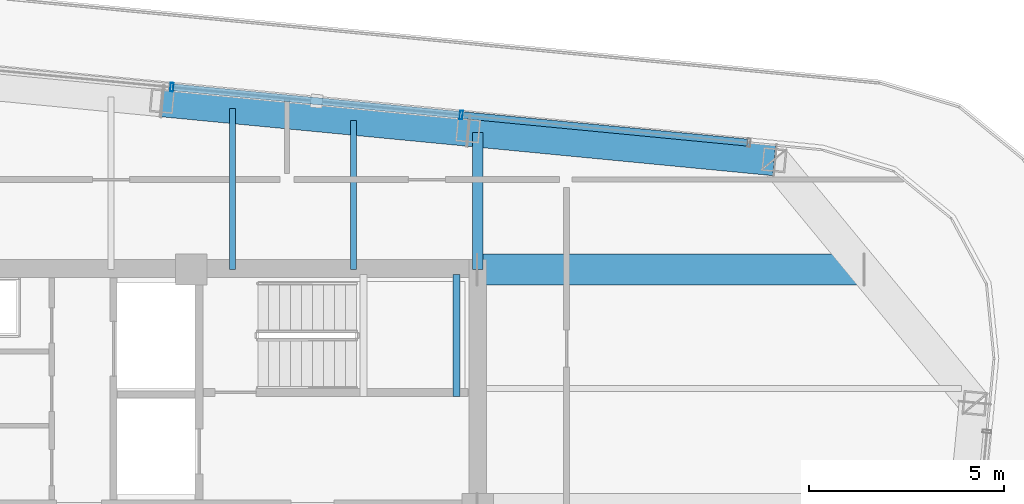
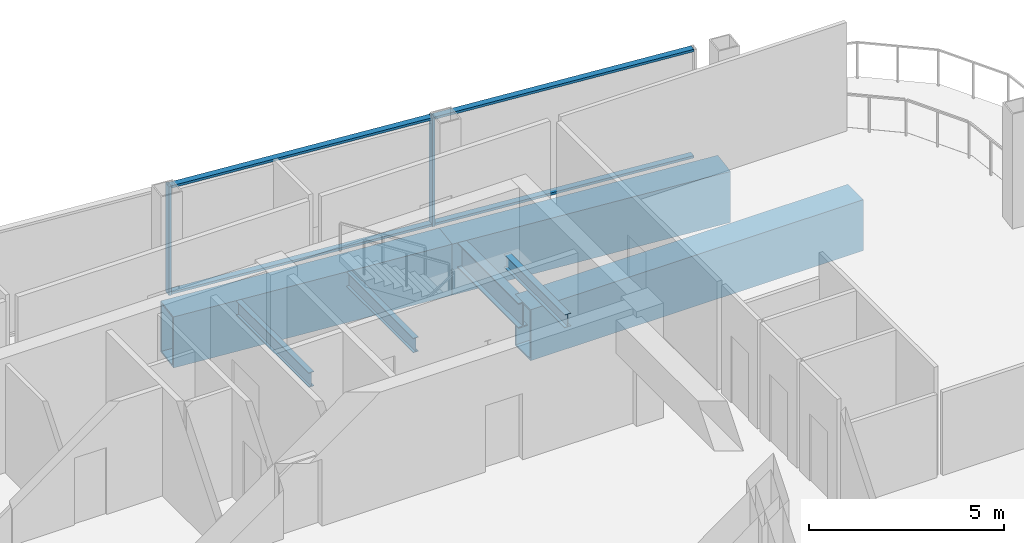
# One storey, part 10 of 20: 7 beams, 6 members, 1 element without a shape of its own.
"""IFC4 building model written with IfcOpenShell, lengths in metres."""

from ifc_helpers import new_model, si_unit, direction, frame, origin, origin_2d, place, context, subcontext, project, spatial, hollow_rectangle, i_section, extrude, material, layer, layer_set, material_profile, profile_set, type_object, element, aggregate, save


model = new_model("IFC4")

# Units and contexts
model_context = context("Model", 3, precision=1e-05, world=origin(), true_north=direction((0.0, 1.0)))
body_context = subcontext(model_context, "Body", "Model", "MODEL_VIEW")
ifc_project = project(units=[si_unit("LENGTHUNIT", "METRE"), si_unit("AREAUNIT", "SQUARE_METRE"), si_unit("VOLUMEUNIT", "CUBIC_METRE"), si_unit("PLANEANGLEUNIT", "RADIAN"), si_unit("MASSUNIT", "GRAM", prefix="KILO")], contexts=[model_context])

# Site, building, storey
site_placement = place(None, origin())
site = spatial("IfcSite", under=ifc_project, at=site_placement, CompositionType="ELEMENT")
building_placement = place(site_placement, origin())
building = spatial("IfcBuilding", under=site, at=building_placement, Name="Qhalaya Broadcast Tower", CompositionType="ELEMENT")
storey_placement = place(building_placement, frame((0.0, 0.0, 273.35009765625)))
storey = spatial("IfcBuildingStorey", under=building, at=storey_placement, Name="L81", CompositionType="ELEMENT", Elevation=273.35009765625)

# Beams
ifc_material_1 = material(Name="Structural Steel ASTM A992 Grade 50", Category="steel")
ifc_material_profile_1 = material_profile(ifc_material_1, i_section(OverallWidth=0.154052734375, OverallDepth=0.458984375, WebThickness=0.009033203125, FlangeThickness=0.015380859375, at=origin_2d()), Name="W18X46")
ifc_profile_set_1 = profile_set([ifc_material_profile_1], Name="Structural Steel ASTM A992 Grade 50")
beam_type_1 = type_object("IfcBeamType", Name="Composite Floor Joist J04", PredefinedType="JOIST", material=ifc_profile_set_1)
beam_1_placement = place(storey_placement, frame((3.10009765625, 9.949951171875, -0.419677734375), z_axis=(0.0, 1.0, 0.0), x_axis=(-1.0, 0.0, 0.0)))
element("IfcBeam", 1, at=beam_1_placement, inside=storey, type_object=beam_type_1, Name="L81 J04 L81-JNN4-1", PredefinedType="JOIST", context=body_context, shape_type="SweptSolid", body=[
    extrude(i_section(OverallWidth=0.154052734375, OverallDepth=0.458984375, WebThickness=0.009033203125, FlangeThickness=0.015380859375, at=origin_2d()), origin(), (0.0, 0.0, 1.0), 4.11328125),
])
beam_2_placement = place(storey_placement, frame((6.199951171875, 9.949951171875, -0.419677734375), z_axis=(0.0, 1.0, 0.0), x_axis=(-1.0, 0.0, 0.0)))
element("IfcBeam", 2, at=beam_2_placement, inside=storey, type_object=beam_type_1, Name="L81 J04 L81-JNN5-1", PredefinedType="JOIST", context=body_context, shape_type="SweptSolid", body=[
    extrude(i_section(OverallWidth=0.154052734375, OverallDepth=0.458984375, WebThickness=0.009033203125, FlangeThickness=0.015380859375, at=origin_2d()), origin(), (0.0, 0.0, 1.0), 3.814697265625),
])
ifc_material_profile_2 = material_profile(ifc_material_1, i_section(OverallWidth=0.26708984375, OverallDepth=0.780029296875, WebThickness=0.0166015625, FlangeThickness=0.030029296875, at=origin_2d()), Name="W30X148")
ifc_profile_set_2 = profile_set([ifc_material_profile_2], Name="Structural Steel ASTM A992 Grade 50")
beam_type_2 = type_object("IfcBeamType", Name="Neck & Crown Primary Girder PG5", PredefinedType="USERDEFINED", material=ifc_profile_set_2)
beam_3_placement = place(storey_placement, frame((9.375, 9.949951171875, -0.580078125), z_axis=(0.0, 1.0, 0.0), x_axis=(-1.0, 0.0, 0.0)))
element("IfcBeam", 3, at=beam_3_placement, inside=storey, type_object=beam_type_2, Name="L81 PG5 L81-PGXN2-1", ObjectType="GIRDER", PredefinedType="USERDEFINED", context=body_context, shape_type="SweptSolid", body=[
    extrude(i_section(OverallWidth=0.26708984375, OverallDepth=0.780029296875, WebThickness=0.0166015625, FlangeThickness=0.030029296875, at=origin_2d()), origin(), (0.0, 0.0, 1.0), 3.509033203125),
])

# Curtain wall, members
ifc_material_2 = material(Name="Solar-Control Low-E Triple Glazing", Category="glass")
ifc_layer = layer(ifc_material_2, 0.219970703125, Name="Solar-Control Low-E Triple Glazing")
ifc_layer_set = layer_set([ifc_layer], Name="Solar-Control Low-E Triple Glazing")
curtain_wall_type = type_object("IfcCurtainWallType", Name="Crown Garden & Observation Windscreen Curtain Wall CW-06", PredefinedType="NOTDEFINED", material=ifc_layer_set)
curtain_wall_placement = place(storey_placement, origin())
curtain_wall = element("IfcCurtainWall", 4, at=curtain_wall_placement, inside=storey, type_object=curtain_wall_type, Name="L81 Unitised Curtain Wall L81-CW-N", PredefinedType="NOTDEFINED")
ifc_material_3 = material(Name="Anodised Aluminium 6063-T6", Category="aluminium")
ifc_material_profile_3 = material_profile(ifc_material_3, hollow_rectangle(XDim=0.074951171875, YDim=0.219970703125, WallThickness=0.00390625, at=origin_2d()), Name="ALU-MUL 75x220x4")
ifc_profile_set_3 = profile_set([ifc_material_profile_3], Name="Anodised Aluminium 6063-T6")
member_type_1 = type_object("IfcMemberType", Name="Unitised Curtain-Wall Mullion M01", PredefinedType="MULLION", material=ifc_profile_set_3)
member_1_placement = place(storey_placement, frame((8.953369140625, 13.9013671875, 0.0), z_axis=(0.0, 0.0, 1.0), x_axis=(-0.995396013928, 0.095847667974, 0.0)))
member_1 = element("IfcMember", 5, at=member_1_placement, type_object=member_type_1, Name="CW-06 mullion 2", PredefinedType="MULLION", context=body_context, shape_type="SweptSolid", body=[
    extrude(hollow_rectangle(XDim=0.074951171875, YDim=0.219970703125, WallThickness=0.00390625, at=origin_2d()), origin(), (0.0, 0.0, 1.0), 3.409912109375),
])
member_2_placement = place(storey_placement, frame((1.55419921875, 14.614013671875, 0.0), z_axis=(0.0, 0.0, 1.0), x_axis=(-0.995396013928, 0.095847667974, 0.0)))
member_2 = element("IfcMember", 6, at=member_2_placement, type_object=member_type_1, Name="CW-06 mullion 3", PredefinedType="MULLION", context=body_context, shape_type="SweptSolid", body=[
    extrude(hollow_rectangle(XDim=0.074951171875, YDim=0.219970703125, WallThickness=0.00390625, at=origin_2d()), origin(), (0.0, 0.0, 1.0), 3.409912109375),
])
ifc_material_profile_4 = material_profile(ifc_material_3, hollow_rectangle(XDim=0.074951171875, YDim=0.179931640625, WallThickness=0.00390625, at=origin_2d()), Name="ALU-TRN 75x180x4")
ifc_profile_set_4 = profile_set([ifc_material_profile_4], Name="Anodised Aluminium 6063-T6")
member_type_2 = type_object("IfcMemberType", Name="Unitised Curtain-Wall Transom T01", PredefinedType="USERDEFINED", material=ifc_profile_set_4)
member_3_placement = place(storey_placement, frame((16.27783203125, 13.1962890625, 0.037353515625), z_axis=(-0.995396311348, 0.095844579162, 0.0), x_axis=(0.0, 0.0, 1.0)))
member_3 = element("IfcMember", 7, at=member_3_placement, type_object=member_type_2, Name="CW-06 transom 1.1", ObjectType="TRANSOM", PredefinedType="USERDEFINED", context=body_context, shape_type="SweptSolid", body=[
    extrude(hollow_rectangle(XDim=0.074951171875, YDim=0.179931640625, WallThickness=0.00390625, at=origin_2d()), origin(), (0.0, 0.0, 1.0), 7.32080078125),
])
member_4_placement = place(storey_placement, frame((16.27783203125, 13.1962890625, 3.372314453125), z_axis=(-0.995396311348, 0.095844579162, 0.0), x_axis=(0.0, 0.0, 1.0)))
member_4 = element("IfcMember", 8, at=member_4_placement, type_object=member_type_2, Name="CW-06 transom 1.2", ObjectType="TRANSOM", PredefinedType="USERDEFINED", context=body_context, shape_type="SweptSolid", body=[
    extrude(hollow_rectangle(XDim=0.074951171875, YDim=0.179931640625, WallThickness=0.00390625, at=origin_2d()), origin(), (0.0, 0.0, 1.0), 7.32080078125),
])
member_5_placement = place(storey_placement, frame((8.916015625, 13.905029296875, 0.037353515625), z_axis=(-0.995395463126, 0.095853387986, 0.0), x_axis=(0.0, 0.0, 1.0)))
member_5 = element("IfcMember", 9, at=member_5_placement, type_object=member_type_2, Name="CW-06 transom 2.1", ObjectType="TRANSOM", PredefinedType="USERDEFINED", context=body_context, shape_type="SweptSolid", body=[
    extrude(hollow_rectangle(XDim=0.074951171875, YDim=0.179931640625, WallThickness=0.00390625, at=origin_2d()), origin(), (0.0, 0.0, 1.0), 7.3583984375),
])
member_6_placement = place(storey_placement, frame((8.916015625, 13.905029296875, 3.372314453125), z_axis=(-0.995395463126, 0.095853387986, 0.0), x_axis=(0.0, 0.0, 1.0)))
member_6 = element("IfcMember", 10, at=member_6_placement, type_object=member_type_2, Name="CW-06 transom 2.2", ObjectType="TRANSOM", PredefinedType="USERDEFINED", context=body_context, shape_type="SweptSolid", body=[
    extrude(hollow_rectangle(XDim=0.074951171875, YDim=0.179931640625, WallThickness=0.00390625, at=origin_2d()), origin(), (0.0, 0.0, 1.0), 7.3583984375),
])
aggregate(curtain_wall, [member_1, member_2, member_3, member_4, member_5, member_6])

# Beams
ifc_material_4 = material(Name="Structural Steel ASTM A572 Grade 50", Category="steel")
ifc_material_profile_5 = material_profile(ifc_material_4, hollow_rectangle(XDim=0.800048828125, YDim=1.60009765625, WallThickness=0.050048828125, at=origin_2d()), Name="BOX 800x1600x50")
ifc_profile_set_5 = profile_set([ifc_material_profile_5], Name="Structural Steel ASTM A572 Grade 50")
beam_type_3 = type_object("IfcBeamType", Name="Upper Cantilever Transfer Box Girder TG2", PredefinedType="USERDEFINED", material=ifc_profile_set_5)
beam_4_placement = place(storey_placement, frame((16.962890625, 12.74853515625, -0.989990234375), z_axis=(-0.995397023367, 0.095837184179, 0.0), x_axis=(-0.095837184179, -0.995397023367, 0.0)))
element("IfcBeam", 11, at=beam_4_placement, inside=storey, type_object=beam_type_3, Name="L81 TG2 L81-SPR-09", ObjectType="GIRDER", PredefinedType="USERDEFINED", context=body_context, shape_type="SweptSolid", body=[
    extrude(hollow_rectangle(XDim=0.800048828125, YDim=1.60009765625, WallThickness=0.050048828125, at=origin_2d()), origin(), (0.0, 0.0, 1.0), 7.866455078125),
])
beam_5_placement = place(storey_placement, frame((9.132568359375, 13.50244140625, -0.989990234375), z_axis=(-0.995397308407, 0.095834223619, 0.0), x_axis=(-0.095834223619, -0.995397308407, 0.0)))
element("IfcBeam", 12, at=beam_5_placement, inside=storey, type_object=beam_type_3, Name="L81 TG2 L81-SPR-10", ObjectType="GIRDER", PredefinedType="USERDEFINED", context=body_context, shape_type="SweptSolid", body=[
    extrude(hollow_rectangle(XDim=0.800048828125, YDim=1.60009765625, WallThickness=0.050048828125, at=origin_2d()), origin(), (0.0, 0.0, 1.0), 7.86669921875),
])
beam_6_placement = place(storey_placement, frame((9.375, 9.949951171875, -0.989990234375), z_axis=(1.0, 0.0, 0.0), x_axis=(0.0, 1.0, 0.0)))
element("IfcBeam", 13, at=beam_6_placement, inside=storey, type_object=beam_type_3, Name="L81 TG2 L81-PGYE4-1", ObjectType="GIRDER", PredefinedType="USERDEFINED", context=body_context, shape_type="SweptSolid", body=[
    extrude(hollow_rectangle(XDim=0.800048828125, YDim=1.60009765625, WallThickness=0.050048828125, at=origin_2d()), origin(), (0.0, 0.0, 1.0), 9.868896484375),
])
ifc_material_profile_6 = material_profile(ifc_material_1, i_section(OverallWidth=0.177978515625, OverallDepth=0.406005859375, WebThickness=0.0078125, FlangeThickness=0.0126953125, at=origin_2d()), Name="W16X40")
ifc_profile_set_6 = profile_set([ifc_material_profile_6], Name="Structural Steel ASTM A992 Grade 50")
beam_type_4 = type_object("IfcBeamType", Name="Upper Perimeter Spandrel Beam SP2", PredefinedType="SPANDREL", material=ifc_profile_set_6)
beam_7_placement = place(storey_placement, frame((8.830078125, 6.699951171875, 1.39697265625), z_axis=(0.0, 1.0, 0.0), x_axis=(-1.0, 0.0, 0.0)))
element("IfcBeam", 14, at=beam_7_placement, inside=storey, type_object=beam_type_4, Name="L81 ST-1 Half-Landing Bearer Beam 2", PredefinedType="SPANDREL", context=body_context, shape_type="SweptSolid", body=[
    extrude(i_section(OverallWidth=0.177978515625, OverallDepth=0.406005859375, WebThickness=0.0078125, FlangeThickness=0.0126953125, at=origin_2d()), origin(), (0.0, 0.0, 1.0), 3.1201171875),
])

save(model, "model.ifc")
